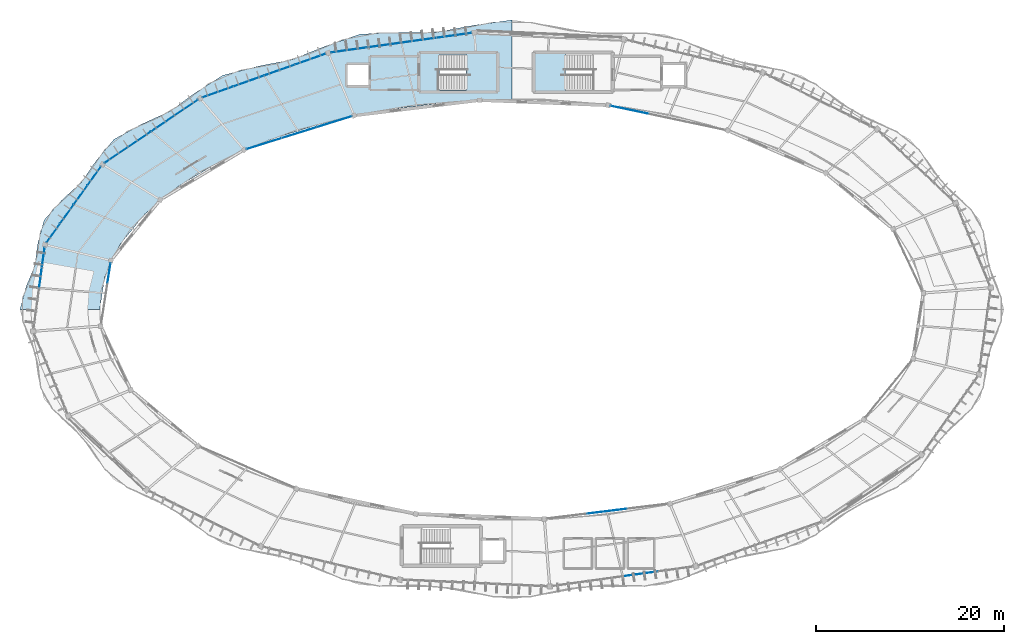
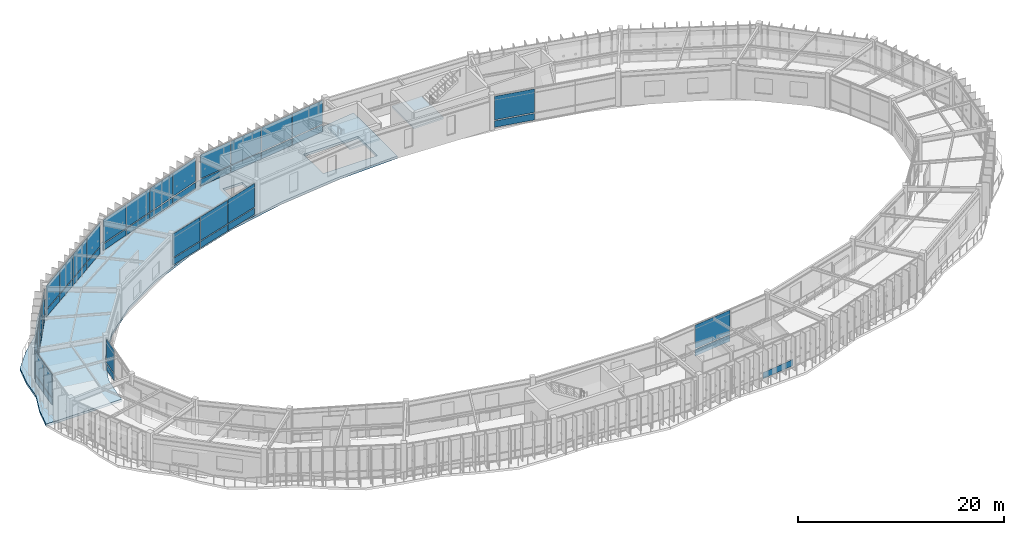
# One storey, part 64 of 79: 49 plates, 3 slabs, 12 elements without a shape of their own.
"""IFC4 building model written with IfcOpenShell, lengths in metres."""

import ifcopenshell
import ifcopenshell.guid

model = None  # the IFC model being written
_history = None  # IfcOwnerHistory: only IFC2X3 demands one
_inside = {}  # id of a spatial element -> (the spatial element, [elements in it])
_under = {}  # id of a project, library or spatial element -> (it, [spatial elements below it])
_declared = {}  # id of a project -> (the project, [libraries it declares])
_typed = {}  # id of a type object -> (the type object, [elements of that type])
_made_of = {}  # id of a material, layer set ... -> (it, [elements and type objects made of it])


def new_model(schema):
    """Start an empty IFC model of exactly this schema.

    Asked for "IFC4X3", IfcOpenShell would pick the latest addendum, in which some entities
    have other attributes; the version numbers below select the first issue.
    IFC2X3 requires an IfcOwnerHistory on every rooted entity: one is made here for all.
    """
    global model, _history
    if schema == "IFC4X3":
        model = ifcopenshell.file(schema_version=(4, 3, 0, 0))
    else:
        model = ifcopenshell.file(schema=schema)
    _inside.clear()
    _under.clear()
    _declared.clear()
    _typed.clear()
    _made_of.clear()
    _history = None
    if model.schema == "IFC2X3":
        org = make("IfcOrganization", Name="unknown")
        user = make(
            "IfcPersonAndOrganization",
            ThePerson=make("IfcPerson", FamilyName="unknown"),
            TheOrganization=org,
        )
        app = make(
            "IfcApplication",
            ApplicationDeveloper=org,
            Version="unknown",
            ApplicationFullName="unknown",
            ApplicationIdentifier="unknown",
        )
        _history = make(
            "IfcOwnerHistory",
            OwningUser=user,
            OwningApplication=app,
            ChangeAction="ADDED",
            CreationDate=0,
        )
    return model


def make(cls, **values):
    """One entity of the class cls with the attributes given. An attribute that is None is left unset."""
    return model.create_entity(
        cls, **{name: value for name, value in values.items() if value is not None}
    )


def rooted(cls, **values):
    """An entity with a GlobalId (a new one), such as an element, a storey or a relation."""
    return make(cls, GlobalId=ifcopenshell.guid.new(), OwnerHistory=_history, **values)


def si_unit(unit_type, name, prefix=None):
    """IfcSIUnit, for example si_unit("LENGTHUNIT", "METRE", prefix="MILLI")."""
    return make("IfcSIUnit", UnitType=unit_type, Prefix=prefix, Name=name)


def assignment(units):
    """IfcUnitAssignment: the units of a project."""
    return None if units is None else make("IfcUnitAssignment", Units=units)


def point(xyz):
    """IfcCartesianPoint."""
    return None if xyz is None else make("IfcCartesianPoint", Coordinates=xyz)


def direction(xyz):
    """IfcDirection."""
    return None if xyz is None else make("IfcDirection", DirectionRatios=xyz)


def frame(location, z_axis=None, x_axis=None):
    """IfcAxis2Placement3D, a coordinate frame: its origin and axes. An axis left out is left unset."""
    return make(
        "IfcAxis2Placement3D",
        Location=point(location),
        Axis=direction(z_axis),
        RefDirection=direction(x_axis),
    )


def frame_2d(location, x_axis=None):
    """IfcAxis2Placement2D, a coordinate frame in the plane: its origin and x axis."""
    return make(
        "IfcAxis2Placement2D", Location=point(location), RefDirection=direction(x_axis)
    )


def origin():
    """The frame at (0, 0, 0) with its axes left unset."""
    return frame((0.0, 0.0, 0.0))


def origin_2d():
    """The frame at (0, 0) in the plane with its x axis left unset."""
    return frame_2d((0.0, 0.0))


def place(relative_to, where):
    """IfcLocalPlacement: puts the frame where relative to a parent placement (None: the world)."""
    return make(
        "IfcLocalPlacement", PlacementRelTo=relative_to, RelativePlacement=where
    )


def context(
    kind, dimensions, precision=None, world=None, true_north=None, identifier=None
):
    """IfcGeometricRepresentationContext, for example the 3D "Model" context."""
    return make(
        "IfcGeometricRepresentationContext",
        ContextIdentifier=identifier,
        ContextType=kind,
        CoordinateSpaceDimension=dimensions,
        Precision=precision,
        WorldCoordinateSystem=world,
        TrueNorth=true_north,
    )


def subcontext(parent, identifier, kind, view, scale=None):
    """IfcGeometricRepresentationSubContext, for example "Body" below "Model"."""
    return make(
        "IfcGeometricRepresentationSubContext",
        ContextIdentifier=identifier,
        ContextType=kind,
        ParentContext=parent,
        TargetScale=scale,
        TargetView=view,
    )


def project(units=None, contexts=None):
    """IfcProject with its units and contexts."""
    return rooted(
        "IfcProject",
        Name="project",
        RepresentationContexts=contexts,
        UnitsInContext=assignment(units),
    )


def spatial(cls, under=None, at=None, **own):
    """A site, building, storey or space (cls), placed at a placement, below another one or the project."""
    s = rooted(cls, ObjectPlacement=at, **own)
    if under is not None:
        _under.setdefault(under.id(), (under, []))[1].append(s)
    return s


def polyline(points):
    """IfcPolyline through the points."""
    return make("IfcPolyline", Points=[point(p) for p in points])


def profile(cls, at=None, kind="AREA", **sizes):
    """A parametric profile (cls). Its sizes go by their IFC names, for example OverallWidth=200.0."""
    return make(cls, ProfileType=kind, Position=at, **sizes)


def rectangle(**sizes):
    """IfcRectangleProfileDef."""
    return profile("IfcRectangleProfileDef", **sizes)


def outline(outer, holes=None, kind="AREA"):
    """IfcArbitraryClosedProfileDef: a profile drawn as a closed curve; with holes, ...WithVoids."""
    if holes is None:
        return make("IfcArbitraryClosedProfileDef", ProfileType=kind, OuterCurve=outer)
    return make(
        "IfcArbitraryProfileDefWithVoids",
        ProfileType=kind,
        OuterCurve=outer,
        InnerCurves=holes,
    )


def extrude(swept, where, along, depth):
    """IfcExtrudedAreaSolid: the profile swept, set in the frame where, extruded along a direction by depth."""
    return make(
        "IfcExtrudedAreaSolid",
        SweptArea=swept,
        Position=where,
        ExtrudedDirection=direction(along),
        Depth=depth,
    )


def shape(context_of_items, identifier, shape_type, items):
    """IfcShapeRepresentation: the items that make up one representation, for example the "Body"."""
    return make(
        "IfcShapeRepresentation",
        ContextOfItems=context_of_items,
        RepresentationIdentifier=identifier,
        RepresentationType=shape_type,
        Items=items,
    )


def material(Name=None, Category=None):
    """IfcMaterial."""
    return make("IfcMaterial", Name=Name, Category=Category)


def layer(
    of_material, thickness, ventilated=None, Name=None, Category=None, Priority=None
):
    """IfcMaterialLayer: one layer of a wall or slab, of a material (None: an air gap)."""
    return make(
        "IfcMaterialLayer",
        Material=of_material,
        LayerThickness=thickness,
        IsVentilated=ventilated,
        Name=Name,
        Category=Category,
        Priority=Priority,
    )


def layer_set(layers, Name=None):
    """IfcMaterialLayerSet."""
    return make("IfcMaterialLayerSet", MaterialLayers=layers, LayerSetName=Name)


def made_of(thing, what):
    """Note that an element or type object is made of a material, layer set ...; save() writes the relation."""
    if what is not None:
        _made_of.setdefault(what.id(), (what, []))[1].append(thing)
    return thing


def type_object(cls, material=None, **own):
    """A type object (cls), such as IfcWallType, which elements share."""
    return made_of(rooted(cls, **own), material)


def element(
    cls,
    number,
    at=None,
    inside=None,
    cuts=None,
    type_object=None,
    material=None,
    context=None,
    identifier="Body",
    shape_type=None,
    held_by="IfcProductDefinitionShape",
    body=None,
    shapes=None,
    **own,
):
    """One element of the class cls, such as IfcWall. Its Tag is "e" and its number.

    at: its placement. inside: the storey or other place that contains it. cuts: it is an
    opening in that element (IfcRelVoidsElement). A single representation is given by context,
    identifier, shape_type and body (its items); several are given by shapes. held_by: the class
    of the entity that holds the representations. save() writes the other relations.
    """
    e = rooted(cls, Tag="e%d" % number, ObjectPlacement=at, **own)
    if body is not None:
        shapes = [shape(context, identifier, shape_type, body)]
    if shapes is not None:
        e.Representation = make(held_by, Representations=shapes)
    if inside is not None:
        _inside.setdefault(inside.id(), (inside, []))[1].append(e)
    if cuts is not None:
        rooted(
            "IfcRelVoidsElement", RelatingBuildingElement=cuts, RelatedOpeningElement=e
        )
    if type_object is not None:
        _typed.setdefault(type_object.id(), (type_object, []))[1].append(e)
    return made_of(e, material)


def aggregate(whole, parts):
    """IfcRelAggregates: a whole, such as a stair, and the parts it consists of."""
    return rooted("IfcRelAggregates", RelatingObject=whole, RelatedObjects=parts)


def save(model, path):
    """Write the relations noted so far, then the file.

    IfcRelAggregates (storeys below a building ...), IfcRelContainedInSpatialStructure (elements
    in a storey), IfcRelDefinesByType, IfcRelAssociatesMaterial and IfcRelDeclares: one each for
    every whole, place, type object, material and project.
    """
    for whole, parts in _under.values():
        aggregate(whole, parts)
    for where, things in _inside.values():
        rooted(
            "IfcRelContainedInSpatialStructure",
            RelatedElements=things,
            RelatingStructure=where,
        )
    for kind, things in _typed.values():
        rooted("IfcRelDefinesByType", RelatedObjects=things, RelatingType=kind)
    for what, things in _made_of.values():
        rooted("IfcRelAssociatesMaterial", RelatedObjects=things, RelatingMaterial=what)
    for by, libraries in _declared.values():
        rooted("IfcRelDeclares", RelatingContext=by, RelatedDefinitions=libraries)
    model.write(path)


model = new_model("IFC4")

# Units and contexts
model_context = context("Model", 3, precision=1e-05, world=origin(), true_north=direction((0.0, 1.0)))
body_context = subcontext(model_context, "Body", "Model", "MODEL_VIEW")
ifc_project = project(units=[si_unit("LENGTHUNIT", "METRE"), si_unit("AREAUNIT", "SQUARE_METRE"), si_unit("VOLUMEUNIT", "CUBIC_METRE"), si_unit("PLANEANGLEUNIT", "RADIAN"), si_unit("MASSUNIT", "GRAM", prefix="KILO"), si_unit("THERMODYNAMICTEMPERATUREUNIT", "KELVIN"), si_unit("POWERUNIT", "WATT")], contexts=[model_context])

# Site, building, storey
site_placement = place(None, origin())
site = spatial("IfcSite", under=ifc_project, at=site_placement, CompositionType="ELEMENT")
building_placement = place(site_placement, origin())
building = spatial("IfcBuilding", under=site, at=building_placement, Name="Darbajah Civic Hall", CompositionType="ELEMENT")
storey_placement = place(building_placement, frame((0.0, 0.0, 22.199951171875)))
storey = spatial("IfcBuildingStorey", under=building, at=storey_placement, Name="L05", CompositionType="ELEMENT", Elevation=22.199951171875)

# Curtain wall, plates
ifc_material_1 = material(Name="Anodised Bronze Aluminium and Low-E Glazing", Category="aluminium")
curtain_wall_type_1 = type_object("IfcCurtainWallType", Name="Unitised Curtain Wall CW-66 15100x3900", PredefinedType="USERDEFINED", material=ifc_material_1)
curtain_wall_1_placement = place(storey_placement, origin())
curtain_wall_1 = element("IfcCurtainWall", 1, at=curtain_wall_1_placement, inside=storey, type_object=curtain_wall_type_1, Name="L05 unitised curtain wall CW-V1O-L05-05", ObjectType="UNITISED CURTAIN WALL", PredefinedType="USERDEFINED")
ifc_material_2 = material(Name="Low-E Solar Control Double Glazing", Category="glass")
ifc_layer_1 = layer(ifc_material_2, 0.02392578125, Name="Low-E Solar Control Double Glazing")
ifc_layer_set_1 = layer_set([ifc_layer_1], Name="Low-E Solar Control Double Glazing")
plate_type_1 = type_object("IfcPlateType", Name="Solar Double Glazing 24mm", PredefinedType="CURTAIN_PANEL", material=ifc_layer_set_1)
plate_1_placement = place(storey_placement, frame((82.953369140625, 118.9111328125, 0.10009765625), z_axis=(0.0, 0.0, 1.0), x_axis=(-0.990485459553, -0.137617420457, 0.0)))
plate_1 = element("IfcPlate", 2, at=plate_1_placement, type_object=plate_type_1, Name="CW-V1O-L05-05 glazed panel 1.1", PredefinedType="CURTAIN_PANEL", context=body_context, shape_type="SweptSolid", body=[
    extrude(rectangle(XDim=3.712646484375, YDim=0.02392578125, at=origin_2d()), origin(), (0.0, 0.0, 1.0), 0.800048828125),
])
plate_2_placement = place(storey_placement, frame((82.953369140625, 118.9111328125, 1.0), z_axis=(0.0, 0.0, 1.0), x_axis=(-0.990485459553, -0.137617420457, 0.0)))
plate_2 = element("IfcPlate", 3, at=plate_2_placement, type_object=plate_type_1, Name="CW-V1O-L05-05 glazed panel 1.2", PredefinedType="CURTAIN_PANEL", context=body_context, shape_type="SweptSolid", body=[
    extrude(rectangle(XDim=3.712646484375, YDim=0.02392578125, at=origin_2d()), origin(), (0.0, 0.0, 1.0), 2.820068359375),
])
plate_3_placement = place(storey_placement, frame((79.211669921875, 118.3916015625, 0.10009765625), z_axis=(0.0, 0.0, 1.0), x_axis=(-0.990485459553, -0.137617420457, 0.0)))
plate_3 = element("IfcPlate", 4, at=plate_3_placement, type_object=plate_type_1, Name="CW-V1O-L05-05 glazed panel 2.1", PredefinedType="CURTAIN_PANEL", context=body_context, shape_type="SweptSolid", body=[
    extrude(rectangle(XDim=3.712646484375, YDim=0.02392578125, at=origin_2d()), origin(), (0.0, 0.0, 1.0), 0.800048828125),
])
plate_4_placement = place(storey_placement, frame((79.211669921875, 118.3916015625, 1.0), z_axis=(0.0, 0.0, 1.0), x_axis=(-0.990485459553, -0.137617420457, 0.0)))
plate_4 = element("IfcPlate", 5, at=plate_4_placement, type_object=plate_type_1, Name="CW-V1O-L05-05 glazed panel 2.2", PredefinedType="CURTAIN_PANEL", context=body_context, shape_type="SweptSolid", body=[
    extrude(rectangle(XDim=3.712646484375, YDim=0.02392578125, at=origin_2d()), origin(), (0.0, 0.0, 1.0), 2.820068359375),
])
plate_5_placement = place(storey_placement, frame((75.47021484375, 117.871826171875, 0.10009765625), z_axis=(0.0, 0.0, 1.0), x_axis=(-0.990485459553, -0.137617420457, 0.0)))
plate_5 = element("IfcPlate", 6, at=plate_5_placement, type_object=plate_type_1, Name="CW-V1O-L05-05 glazed panel 3.1", PredefinedType="CURTAIN_PANEL", context=body_context, shape_type="SweptSolid", body=[
    extrude(rectangle(XDim=3.712646484375, YDim=0.02392578125, at=origin_2d()), origin(), (0.0, 0.0, 1.0), 0.800048828125),
])
plate_6_placement = place(storey_placement, frame((75.47021484375, 117.871826171875, 1.0), z_axis=(0.0, 0.0, 1.0), x_axis=(-0.990485459553, -0.137617420457, 0.0)))
plate_6 = element("IfcPlate", 7, at=plate_6_placement, type_object=plate_type_1, Name="CW-V1O-L05-05 glazed panel 3.2", PredefinedType="CURTAIN_PANEL", context=body_context, shape_type="SweptSolid", body=[
    extrude(rectangle(XDim=3.712646484375, YDim=0.02392578125, at=origin_2d()), origin(), (0.0, 0.0, 1.0), 2.820068359375),
])
plate_7_placement = place(storey_placement, frame((71.728515625, 117.352294921875, 0.10009765625), z_axis=(0.0, 0.0, 1.0), x_axis=(-0.990485459553, -0.137617420457, 0.0)))
plate_7 = element("IfcPlate", 8, at=plate_7_placement, type_object=plate_type_1, Name="CW-V1O-L05-05 glazed panel 4.1", PredefinedType="CURTAIN_PANEL", context=body_context, shape_type="SweptSolid", body=[
    extrude(rectangle(XDim=3.712646484375, YDim=0.02392578125, at=origin_2d()), origin(), (0.0, 0.0, 1.0), 0.800048828125),
])
plate_8_placement = place(storey_placement, frame((71.728515625, 117.352294921875, 1.0), z_axis=(0.0, 0.0, 1.0), x_axis=(-0.990485459553, -0.137617420457, 0.0)))
plate_8 = element("IfcPlate", 9, at=plate_8_placement, type_object=plate_type_1, Name="CW-V1O-L05-05 glazed panel 4.2", PredefinedType="CURTAIN_PANEL", context=body_context, shape_type="SweptSolid", body=[
    extrude(rectangle(XDim=3.712646484375, YDim=0.02392578125, at=origin_2d()), origin(), (0.0, 0.0, 1.0), 2.820068359375),
])
aggregate(curtain_wall_1, [plate_1, plate_2, plate_3, plate_4, plate_5, plate_6, plate_7, plate_8])

curtain_wall_type_2 = type_object("IfcCurtainWallType", Name="Unitised Curtain Wall CW-68 9900x3900", PredefinedType="USERDEFINED", material=ifc_material_1)
curtain_wall_2_placement = place(storey_placement, origin())
curtain_wall_2 = element("IfcCurtainWall", 10, at=curtain_wall_2_placement, inside=storey, type_object=curtain_wall_type_2, Name="L05 unitised curtain wall CW-V1O-L05-08", ObjectType="UNITISED CURTAIN WALL", PredefinedType="USERDEFINED")
plate_9_placement = place(storey_placement, frame((44.731201171875, 103.97900390625, 0.10009765625), z_axis=(0.0, 0.0, 1.0), x_axis=(-0.582264874145, -0.812999149039, 0.0)))
plate_9 = element("IfcPlate", 11, at=plate_9_placement, type_object=plate_type_1, Name="CW-V1O-L05-08 glazed panel 1.1", PredefinedType="CURTAIN_PANEL", context=body_context, shape_type="SweptSolid", body=[
    extrude(rectangle(XDim=2.41845703125, YDim=0.02392578125, at=origin_2d()), origin(), (0.0, 0.0, 1.0), 0.800048828125),
])
plate_10_placement = place(storey_placement, frame((44.731201171875, 103.97900390625, 1.0), z_axis=(0.0, 0.0, 1.0), x_axis=(-0.582264874145, -0.812999149039, 0.0)))
plate_10 = element("IfcPlate", 12, at=plate_10_placement, type_object=plate_type_1, Name="CW-V1O-L05-08 glazed panel 1.2", PredefinedType="CURTAIN_PANEL", context=body_context, shape_type="SweptSolid", body=[
    extrude(rectangle(XDim=2.41845703125, YDim=0.02392578125, at=origin_2d()), origin(), (0.0, 0.0, 1.0), 2.820068359375),
])
plate_11_placement = place(storey_placement, frame((43.285400390625, 101.959716796875, 0.10009765625), z_axis=(0.0, 0.0, 1.0), x_axis=(-0.582264874145, -0.812999149039, 0.0)))
plate_11 = element("IfcPlate", 13, at=plate_11_placement, type_object=plate_type_1, Name="CW-V1O-L05-08 glazed panel 2.1", PredefinedType="CURTAIN_PANEL", context=body_context, shape_type="SweptSolid", body=[
    extrude(rectangle(XDim=2.41845703125, YDim=0.02392578125, at=origin_2d()), origin(), (0.0, 0.0, 1.0), 0.800048828125),
])
plate_12_placement = place(storey_placement, frame((43.285400390625, 101.959716796875, 1.0), z_axis=(0.0, 0.0, 1.0), x_axis=(-0.582264874145, -0.812999149039, 0.0)))
plate_12 = element("IfcPlate", 14, at=plate_12_placement, type_object=plate_type_1, Name="CW-V1O-L05-08 glazed panel 2.2", PredefinedType="CURTAIN_PANEL", context=body_context, shape_type="SweptSolid", body=[
    extrude(rectangle(XDim=2.41845703125, YDim=0.02392578125, at=origin_2d()), origin(), (0.0, 0.0, 1.0), 2.820068359375),
])
plate_13_placement = place(storey_placement, frame((41.839111328125, 99.940673828125, 0.10009765625), z_axis=(0.0, 0.0, 1.0), x_axis=(-0.582264874145, -0.812999149039, 0.0)))
plate_13 = element("IfcPlate", 15, at=plate_13_placement, type_object=plate_type_1, Name="CW-V1O-L05-08 glazed panel 3.1", PredefinedType="CURTAIN_PANEL", context=body_context, shape_type="SweptSolid", body=[
    extrude(rectangle(XDim=2.41845703125, YDim=0.02392578125, at=origin_2d()), origin(), (0.0, 0.0, 1.0), 0.800048828125),
])
plate_14_placement = place(storey_placement, frame((41.839111328125, 99.940673828125, 1.0), z_axis=(0.0, 0.0, 1.0), x_axis=(-0.582264874145, -0.812999149039, 0.0)))
plate_14 = element("IfcPlate", 16, at=plate_14_placement, type_object=plate_type_1, Name="CW-V1O-L05-08 glazed panel 3.2", PredefinedType="CURTAIN_PANEL", context=body_context, shape_type="SweptSolid", body=[
    extrude(rectangle(XDim=2.41845703125, YDim=0.02392578125, at=origin_2d()), origin(), (0.0, 0.0, 1.0), 2.820068359375),
])
plate_15_placement = place(storey_placement, frame((40.393310546875, 97.92138671875, 0.10009765625), z_axis=(0.0, 0.0, 1.0), x_axis=(-0.582264874145, -0.812999149039, 0.0)))
plate_15 = element("IfcPlate", 17, at=plate_15_placement, type_object=plate_type_1, Name="CW-V1O-L05-08 glazed panel 4.1", PredefinedType="CURTAIN_PANEL", context=body_context, shape_type="SweptSolid", body=[
    extrude(rectangle(XDim=2.41845703125, YDim=0.02392578125, at=origin_2d()), origin(), (0.0, 0.0, 1.0), 0.800048828125),
])
plate_16_placement = place(storey_placement, frame((40.393310546875, 97.92138671875, 1.0), z_axis=(0.0, 0.0, 1.0), x_axis=(-0.582264874145, -0.812999149039, 0.0)))
plate_16 = element("IfcPlate", 18, at=plate_16_placement, type_object=plate_type_1, Name="CW-V1O-L05-08 glazed panel 4.2", PredefinedType="CURTAIN_PANEL", context=body_context, shape_type="SweptSolid", body=[
    extrude(rectangle(XDim=2.41845703125, YDim=0.02392578125, at=origin_2d()), origin(), (0.0, 0.0, 1.0), 2.820068359375),
])
aggregate(curtain_wall_2, [plate_9, plate_10, plate_11, plate_12, plate_13, plate_14, plate_15, plate_16])

curtain_wall_type_3 = type_object("IfcCurtainWallType", Name="Unitised Curtain Wall CW-65 12400x3900", PredefinedType="USERDEFINED", material=ifc_material_1)
curtain_wall_3_placement = place(storey_placement, origin())
curtain_wall_3 = element("IfcCurtainWall", 19, at=curtain_wall_3_placement, inside=storey, type_object=curtain_wall_type_3, Name="L05 unitised curtain wall CW-V1I-L05-03", ObjectType="UNITISED CURTAIN WALL", PredefinedType="USERDEFINED")
ifc_layer_2 = layer(ifc_material_2, 0.028076171875, Name="Low-E Solar Control Double Glazing")
ifc_layer_set_2 = layer_set([ifc_layer_2], Name="Low-E Solar Control Double Glazing")
plate_type_2 = type_object("IfcPlateType", Name="Solar Double Glazing 28mm", PredefinedType="CURTAIN_PANEL", material=ifc_layer_set_2)
plate_17_placement = place(storey_placement, frame((101.599365234375, 111.004150390625, 0.1201171875), z_axis=(0.0, 0.0, 1.0), x_axis=(-0.978472980779, 0.206374964291, 0.0)))
plate_17 = element("IfcPlate", 20, at=plate_17_placement, type_object=plate_type_2, Name="CW-V1I-L05-03 glazed panel 3.1", PredefinedType="CURTAIN_PANEL", context=body_context, shape_type="SweptSolid", body=[
    extrude(rectangle(XDim=4.074951171875, YDim=0.028076171875, at=origin_2d()), origin(), (0.0, 0.0, 1.0), 0.77001953125),
])
plate_18_placement = place(storey_placement, frame((101.599365234375, 111.004150390625, 1.010009765625), z_axis=(0.0, 0.0, 1.0), x_axis=(-0.978472980779, 0.206374964291, 0.0)))
plate_18 = element("IfcPlate", 21, at=plate_18_placement, type_object=plate_type_2, Name="CW-V1I-L05-03 glazed panel 3.2", PredefinedType="CURTAIN_PANEL", context=body_context, shape_type="SweptSolid", body=[
    extrude(rectangle(XDim=4.074951171875, YDim=0.028076171875, at=origin_2d()), origin(), (0.0, 0.0, 1.0), 2.7900390625),
])
aggregate(curtain_wall_3, [plate_17, plate_18])

curtain_wall_type_4 = type_object("IfcCurtainWallType", Name="Unitised Curtain Wall CW-67 11700x3900", PredefinedType="USERDEFINED", material=ifc_material_1)
curtain_wall_4_placement = place(storey_placement, origin())
curtain_wall_4 = element("IfcCurtainWall", 22, at=curtain_wall_4_placement, inside=storey, type_object=curtain_wall_type_4, Name="L05 unitised curtain wall CW-V1I-L05-06", ObjectType="UNITISED CURTAIN WALL", PredefinedType="USERDEFINED")
plate_19_placement = place(storey_placement, frame((70.230712890625, 109.744873046875, 0.1201171875), z_axis=(0.0, 0.0, 1.0), x_axis=(-0.954604963513, -0.297874744877, 0.0)))
plate_19 = element("IfcPlate", 23, at=plate_19_placement, type_object=plate_type_2, Name="CW-V1I-L05-06 glazed panel 1.1", PredefinedType="CURTAIN_PANEL", context=body_context, shape_type="SweptSolid", body=[
    extrude(rectangle(XDim=3.841796875, YDim=0.028076171875, at=origin_2d()), origin(), (0.0, 0.0, 1.0), 0.77001953125),
])
plate_20_placement = place(storey_placement, frame((70.230712890625, 109.744873046875, 1.010009765625), z_axis=(0.0, 0.0, 1.0), x_axis=(-0.954604963513, -0.297874744877, 0.0)))
plate_20 = element("IfcPlate", 24, at=plate_20_placement, type_object=plate_type_2, Name="CW-V1I-L05-06 glazed panel 1.2", PredefinedType="CURTAIN_PANEL", context=body_context, shape_type="SweptSolid", body=[
    extrude(rectangle(XDim=3.841796875, YDim=0.028076171875, at=origin_2d()), origin(), (0.0, 0.0, 1.0), 2.7900390625),
])
plate_21_placement = place(storey_placement, frame((66.496337890625, 108.579833984375, 0.1201171875), z_axis=(0.0, 0.0, 1.0), x_axis=(-0.954604963513, -0.297874744877, 0.0)))
plate_21 = element("IfcPlate", 25, at=plate_21_placement, type_object=plate_type_2, Name="CW-V1I-L05-06 glazed panel 2.1", PredefinedType="CURTAIN_PANEL", context=body_context, shape_type="SweptSolid", body=[
    extrude(rectangle(XDim=3.841796875, YDim=0.028076171875, at=origin_2d()), origin(), (0.0, 0.0, 1.0), 0.77001953125),
])
plate_22_placement = place(storey_placement, frame((66.496337890625, 108.579833984375, 1.010009765625), z_axis=(0.0, 0.0, 1.0), x_axis=(-0.954604963513, -0.297874744877, 0.0)))
plate_22 = element("IfcPlate", 26, at=plate_22_placement, type_object=plate_type_2, Name="CW-V1I-L05-06 glazed panel 2.2", PredefinedType="CURTAIN_PANEL", context=body_context, shape_type="SweptSolid", body=[
    extrude(rectangle(XDim=3.841796875, YDim=0.028076171875, at=origin_2d()), origin(), (0.0, 0.0, 1.0), 2.7900390625),
])
plate_23_placement = place(storey_placement, frame((62.761962890625, 107.414794921875, 0.1201171875), z_axis=(0.0, 0.0, 1.0), x_axis=(-0.954604963513, -0.297874744877, 0.0)))
plate_23 = element("IfcPlate", 27, at=plate_23_placement, type_object=plate_type_2, Name="CW-V1I-L05-06 glazed panel 3.1", PredefinedType="CURTAIN_PANEL", context=body_context, shape_type="SweptSolid", body=[
    extrude(rectangle(XDim=3.841796875, YDim=0.028076171875, at=origin_2d()), origin(), (0.0, 0.0, 1.0), 0.77001953125),
])
plate_24_placement = place(storey_placement, frame((62.761962890625, 107.414794921875, 1.010009765625), z_axis=(0.0, 0.0, 1.0), x_axis=(-0.954604963513, -0.297874744877, 0.0)))
plate_24 = element("IfcPlate", 28, at=plate_24_placement, type_object=plate_type_2, Name="CW-V1I-L05-06 glazed panel 3.2", PredefinedType="CURTAIN_PANEL", context=body_context, shape_type="SweptSolid", body=[
    extrude(rectangle(XDim=3.841796875, YDim=0.028076171875, at=origin_2d()), origin(), (0.0, 0.0, 1.0), 2.7900390625),
])
aggregate(curtain_wall_4, [plate_19, plate_20, plate_21, plate_22, plate_23, plate_24])

curtain_wall_type_5 = type_object("IfcCurtainWallType", Name="Unitised Curtain Wall CW-81 12000x3900", PredefinedType="USERDEFINED", material=ifc_material_1)
curtain_wall_5_placement = place(storey_placement, origin())
curtain_wall_5 = element("IfcCurtainWall", 29, at=curtain_wall_5_placement, inside=storey, type_object=curtain_wall_type_5, Name="L05 unitised curtain wall CW-V1O-L05-07", ObjectType="UNITISED CURTAIN WALL", PredefinedType="USERDEFINED")
plate_25_placement = place(storey_placement, frame((54.5107421875, 111.23828125, 0.1201171875), z_axis=(0.0, 0.0, 1.0), x_axis=(-0.827962472047, -0.560783509816, 0.0)))
plate_25 = element("IfcPlate", 30, at=plate_25_placement, type_object=plate_type_2, Name="CW-V1O-L05-07 glazed panel 1.1", PredefinedType="CURTAIN_PANEL", context=body_context, shape_type="SweptSolid", body=[
    extrude(rectangle(XDim=2.92041015625, YDim=0.028076171875, at=origin_2d()), origin(), (0.0, 0.0, 1.0), 0.77001953125),
])
plate_26_placement = place(storey_placement, frame((54.5107421875, 111.23828125, 1.010009765625), z_axis=(0.0, 0.0, 1.0), x_axis=(-0.827962472047, -0.560783509816, 0.0)))
plate_26 = element("IfcPlate", 31, at=plate_26_placement, type_object=plate_type_2, Name="CW-V1O-L05-07 glazed panel 1.2", PredefinedType="CURTAIN_PANEL", context=body_context, shape_type="SweptSolid", body=[
    extrude(rectangle(XDim=2.92041015625, YDim=0.028076171875, at=origin_2d()), origin(), (0.0, 0.0, 1.0), 2.7900390625),
])
plate_27_placement = place(storey_placement, frame((52.034912109375, 109.561279296875, 0.1201171875), z_axis=(0.0, 0.0, 1.0), x_axis=(-0.827962472047, -0.560783509816, 0.0)))
plate_27 = element("IfcPlate", 32, at=plate_27_placement, type_object=plate_type_2, Name="CW-V1O-L05-07 glazed panel 2.1", PredefinedType="CURTAIN_PANEL", context=body_context, shape_type="SweptSolid", body=[
    extrude(rectangle(XDim=2.92041015625, YDim=0.028076171875, at=origin_2d()), origin(), (0.0, 0.0, 1.0), 0.77001953125),
])
plate_28_placement = place(storey_placement, frame((52.034912109375, 109.561279296875, 1.010009765625), z_axis=(0.0, 0.0, 1.0), x_axis=(-0.827962472047, -0.560783509816, 0.0)))
plate_28 = element("IfcPlate", 33, at=plate_28_placement, type_object=plate_type_2, Name="CW-V1O-L05-07 glazed panel 2.2", PredefinedType="CURTAIN_PANEL", context=body_context, shape_type="SweptSolid", body=[
    extrude(rectangle(XDim=2.92041015625, YDim=0.028076171875, at=origin_2d()), origin(), (0.0, 0.0, 1.0), 2.7900390625),
])
plate_29_placement = place(storey_placement, frame((49.558837890625, 107.884521484375, 0.1201171875), z_axis=(0.0, 0.0, 1.0), x_axis=(-0.827962472047, -0.560783509816, 0.0)))
plate_29 = element("IfcPlate", 34, at=plate_29_placement, type_object=plate_type_2, Name="CW-V1O-L05-07 glazed panel 3.1", PredefinedType="CURTAIN_PANEL", context=body_context, shape_type="SweptSolid", body=[
    extrude(rectangle(XDim=2.92041015625, YDim=0.028076171875, at=origin_2d()), origin(), (0.0, 0.0, 1.0), 0.77001953125),
])
plate_30_placement = place(storey_placement, frame((49.558837890625, 107.884521484375, 1.010009765625), z_axis=(0.0, 0.0, 1.0), x_axis=(-0.827962472047, -0.560783509816, 0.0)))
plate_30 = element("IfcPlate", 35, at=plate_30_placement, type_object=plate_type_2, Name="CW-V1O-L05-07 glazed panel 3.2", PredefinedType="CURTAIN_PANEL", context=body_context, shape_type="SweptSolid", body=[
    extrude(rectangle(XDim=2.92041015625, YDim=0.028076171875, at=origin_2d()), origin(), (0.0, 0.0, 1.0), 2.7900390625),
])
plate_31_placement = place(storey_placement, frame((47.082763671875, 106.20751953125, 0.1201171875), z_axis=(0.0, 0.0, 1.0), x_axis=(-0.827962472047, -0.560783509816, 0.0)))
plate_31 = element("IfcPlate", 36, at=plate_31_placement, type_object=plate_type_2, Name="CW-V1O-L05-07 glazed panel 4.1", PredefinedType="CURTAIN_PANEL", context=body_context, shape_type="SweptSolid", body=[
    extrude(rectangle(XDim=2.92041015625, YDim=0.028076171875, at=origin_2d()), origin(), (0.0, 0.0, 1.0), 0.77001953125),
])
plate_32_placement = place(storey_placement, frame((47.082763671875, 106.20751953125, 1.010009765625), z_axis=(0.0, 0.0, 1.0), x_axis=(-0.827962472047, -0.560783509816, 0.0)))
plate_32 = element("IfcPlate", 37, at=plate_32_placement, type_object=plate_type_2, Name="CW-V1O-L05-07 glazed panel 4.2", PredefinedType="CURTAIN_PANEL", context=body_context, shape_type="SweptSolid", body=[
    extrude(rectangle(XDim=2.92041015625, YDim=0.028076171875, at=origin_2d()), origin(), (0.0, 0.0, 1.0), 2.7900390625),
])
aggregate(curtain_wall_5, [plate_25, plate_26, plate_27, plate_28, plate_29, plate_30, plate_31, plate_32])

curtain_wall_type_6 = type_object("IfcCurtainWallType", Name="Unitised Curtain Wall CW-70 6500x3900", PredefinedType="USERDEFINED", material=ifc_material_1)
curtain_wall_6_placement = place(storey_placement, origin())
curtain_wall_6 = element("IfcCurtainWall", 38, at=curtain_wall_6_placement, inside=storey, type_object=curtain_wall_type_6, Name="L05 unitised curtain wall CW-V1I-L05-09", ObjectType="UNITISED CURTAIN WALL", PredefinedType="USERDEFINED")
plate_33_placement = place(storey_placement, frame((46.305419921875, 93.6806640625, 0.1201171875), z_axis=(0.0, 0.0, 1.0), x_axis=(-0.152813355565, -0.98825506746, 0.0)))
plate_33 = element("IfcPlate", 39, at=plate_33_placement, type_object=plate_type_2, Name="CW-V1I-L05-09 glazed panel 1.1", PredefinedType="CURTAIN_PANEL", context=body_context, shape_type="SweptSolid", body=[
    extrude(rectangle(XDim=2.10791015625, YDim=0.028076171875, at=origin_2d()), origin(), (0.0, 0.0, 1.0), 0.77001953125),
])
plate_34_placement = place(storey_placement, frame((46.305419921875, 93.6806640625, 1.010009765625), z_axis=(0.0, 0.0, 1.0), x_axis=(-0.152813355565, -0.98825506746, 0.0)))
plate_34 = element("IfcPlate", 40, at=plate_34_placement, type_object=plate_type_2, Name="CW-V1I-L05-09 glazed panel 1.2", PredefinedType="CURTAIN_PANEL", context=body_context, shape_type="SweptSolid", body=[
    extrude(rectangle(XDim=2.10791015625, YDim=0.028076171875, at=origin_2d()), origin(), (0.0, 0.0, 1.0), 2.7900390625),
])
aggregate(curtain_wall_6, [plate_33, plate_34])

curtain_wall_type_7 = type_object("IfcCurtainWallType", Name="Unitised Curtain Wall CW-73 12900x3900", PredefinedType="USERDEFINED", material=ifc_material_1)
curtain_wall_7_placement = place(storey_placement, origin())
curtain_wall_7 = element("IfcCurtainWall", 41, at=curtain_wall_7_placement, inside=storey, type_object=curtain_wall_type_7, Name="L05 unitised curtain wall CW-V1I-L05-15", ObjectType="UNITISED CURTAIN WALL", PredefinedType="USERDEFINED")
plate_35_placement = place(storey_placement, frame((99.198974609375, 68.383056640625, 0.1201171875), z_axis=(0.0, 0.0, 1.0), x_axis=(0.992609826221, 0.121349630774, 0.0)))
plate_35 = element("IfcPlate", 42, at=plate_35_placement, type_object=plate_type_2, Name="CW-V1I-L05-15 glazed panel 2.1", PredefinedType="CURTAIN_PANEL", context=body_context, shape_type="SweptSolid", body=[
    extrude(rectangle(XDim=4.23681640625, YDim=0.028076171875, at=origin_2d()), origin(), (0.0, 0.0, 1.0), 0.77001953125),
])
plate_36_placement = place(storey_placement, frame((99.198974609375, 68.383056640625, 1.010009765625), z_axis=(0.0, 0.0, 1.0), x_axis=(0.992609826221, 0.121349630774, 0.0)))
plate_36 = element("IfcPlate", 43, at=plate_36_placement, type_object=plate_type_2, Name="CW-V1I-L05-15 glazed panel 2.2", PredefinedType="CURTAIN_PANEL", context=body_context, shape_type="SweptSolid", body=[
    extrude(rectangle(XDim=4.23681640625, YDim=0.028076171875, at=origin_2d()), origin(), (0.0, 0.0, 1.0), 2.7900390625),
])
aggregate(curtain_wall_7, [plate_35, plate_36])

curtain_wall_type_8 = type_object("IfcCurtainWallType", Name="Unitised Curtain Wall CW-80 13900x3900", PredefinedType="USERDEFINED", material=ifc_material_1)
curtain_wall_8_placement = place(storey_placement, origin())
curtain_wall_8 = element("IfcCurtainWall", 44, at=curtain_wall_8_placement, inside=storey, type_object=curtain_wall_type_8, Name="L05 unitised curtain wall CW-V1O-L05-06", ObjectType="UNITISED CURTAIN WALL", PredefinedType="USERDEFINED")
ifc_layer_3 = layer(ifc_material_2, 0.031982421875, Name="Low-E Solar Control Double Glazing")
ifc_layer_set_3 = layer_set([ifc_layer_3], Name="Low-E Solar Control Double Glazing")
plate_type_3 = type_object("IfcPlateType", Name="Solar Double Glazing 32mm", PredefinedType="CURTAIN_PANEL", material=ifc_layer_set_3)
plate_37_placement = place(storey_placement, frame((67.686767578125, 116.382080078125, 0.14013671875), z_axis=(0.0, 0.0, 1.0), x_axis=(-0.94252491309, -0.334135882844, 0.0)))
plate_37 = element("IfcPlate", 45, at=plate_37_placement, type_object=plate_type_3, Name="CW-V1O-L05-06 glazed panel 1.1", PredefinedType="CURTAIN_PANEL", context=body_context, shape_type="SweptSolid", body=[
    extrude(rectangle(XDim=3.39501953125, YDim=0.031982421875, at=origin_2d()), origin(), (0.0, 0.0, 1.0), 0.739990234375),
])
plate_38_placement = place(storey_placement, frame((67.686767578125, 116.382080078125, 1.02001953125), z_axis=(0.0, 0.0, 1.0), x_axis=(-0.94252491309, -0.334135882844, 0.0)))
plate_38 = element("IfcPlate", 46, at=plate_38_placement, type_object=plate_type_3, Name="CW-V1O-L05-06 glazed panel 1.2", PredefinedType="CURTAIN_PANEL", context=body_context, shape_type="SweptSolid", body=[
    extrude(rectangle(XDim=3.39501953125, YDim=0.031982421875, at=origin_2d()), origin(), (0.0, 0.0, 1.0), 2.760009765625),
])
plate_39_placement = place(storey_placement, frame((64.416015625, 115.222900390625, 0.14013671875), z_axis=(0.0, 0.0, 1.0), x_axis=(-0.94252491309, -0.334135882844, 0.0)))
plate_39 = element("IfcPlate", 47, at=plate_39_placement, type_object=plate_type_3, Name="CW-V1O-L05-06 glazed panel 2.1", PredefinedType="CURTAIN_PANEL", context=body_context, shape_type="SweptSolid", body=[
    extrude(rectangle(XDim=3.39501953125, YDim=0.031982421875, at=origin_2d()), origin(), (0.0, 0.0, 1.0), 0.739990234375),
])
plate_40_placement = place(storey_placement, frame((64.416015625, 115.222900390625, 1.02001953125), z_axis=(0.0, 0.0, 1.0), x_axis=(-0.94252491309, -0.334135882844, 0.0)))
plate_40 = element("IfcPlate", 48, at=plate_40_placement, type_object=plate_type_3, Name="CW-V1O-L05-06 glazed panel 2.2", PredefinedType="CURTAIN_PANEL", context=body_context, shape_type="SweptSolid", body=[
    extrude(rectangle(XDim=3.39501953125, YDim=0.031982421875, at=origin_2d()), origin(), (0.0, 0.0, 1.0), 2.760009765625),
])
plate_41_placement = place(storey_placement, frame((61.145263671875, 114.0634765625, 0.14013671875), z_axis=(0.0, 0.0, 1.0), x_axis=(-0.94252491309, -0.334135882844, 0.0)))
plate_41 = element("IfcPlate", 49, at=plate_41_placement, type_object=plate_type_3, Name="CW-V1O-L05-06 glazed panel 3.1", PredefinedType="CURTAIN_PANEL", context=body_context, shape_type="SweptSolid", body=[
    extrude(rectangle(XDim=3.39501953125, YDim=0.031982421875, at=origin_2d()), origin(), (0.0, 0.0, 1.0), 0.739990234375),
])
plate_42_placement = place(storey_placement, frame((61.145263671875, 114.0634765625, 1.02001953125), z_axis=(0.0, 0.0, 1.0), x_axis=(-0.94252491309, -0.334135882844, 0.0)))
plate_42 = element("IfcPlate", 50, at=plate_42_placement, type_object=plate_type_3, Name="CW-V1O-L05-06 glazed panel 3.2", PredefinedType="CURTAIN_PANEL", context=body_context, shape_type="SweptSolid", body=[
    extrude(rectangle(XDim=3.39501953125, YDim=0.031982421875, at=origin_2d()), origin(), (0.0, 0.0, 1.0), 2.760009765625),
])
plate_43_placement = place(storey_placement, frame((57.87451171875, 112.904296875, 0.14013671875), z_axis=(0.0, 0.0, 1.0), x_axis=(-0.94252491309, -0.334135882844, 0.0)))
plate_43 = element("IfcPlate", 51, at=plate_43_placement, type_object=plate_type_3, Name="CW-V1O-L05-06 glazed panel 4.1", PredefinedType="CURTAIN_PANEL", context=body_context, shape_type="SweptSolid", body=[
    extrude(rectangle(XDim=3.39501953125, YDim=0.031982421875, at=origin_2d()), origin(), (0.0, 0.0, 1.0), 0.739990234375),
])
plate_44_placement = place(storey_placement, frame((57.87451171875, 112.904296875, 1.02001953125), z_axis=(0.0, 0.0, 1.0), x_axis=(-0.94252491309, -0.334135882844, 0.0)))
plate_44 = element("IfcPlate", 52, at=plate_44_placement, type_object=plate_type_3, Name="CW-V1O-L05-06 glazed panel 4.2", PredefinedType="CURTAIN_PANEL", context=body_context, shape_type="SweptSolid", body=[
    extrude(rectangle(XDim=3.39501953125, YDim=0.031982421875, at=origin_2d()), origin(), (0.0, 0.0, 1.0), 2.760009765625),
])
aggregate(curtain_wall_8, [plate_37, plate_38, plate_39, plate_40, plate_41, plate_42, plate_43, plate_44])

curtain_wall_type_9 = type_object("IfcCurtainWallType", Name="Unitised Curtain Wall CW-69 8700x3900", PredefinedType="USERDEFINED", material=ifc_material_1)
curtain_wall_9_placement = place(storey_placement, origin())
curtain_wall_9 = element("IfcCurtainWall", 53, at=curtain_wall_9_placement, inside=storey, type_object=curtain_wall_type_9, Name="L05 unitised curtain wall CW-V1O-L05-09", ObjectType="UNITISED CURTAIN WALL", PredefinedType="USERDEFINED")
plate_45_placement = place(storey_placement, frame((39.32470703125, 95.33056640625, 0.14013671875), z_axis=(0.0, 0.0, 1.0), x_axis=(-0.134850930274, -0.990865897387, 0.0)))
plate_45 = element("IfcPlate", 54, at=plate_45_placement, type_object=plate_type_3, Name="CW-V1O-L05-09 glazed panel 1.1", PredefinedType="CURTAIN_PANEL", context=body_context, shape_type="SweptSolid", body=[
    extrude(rectangle(XDim=2.10791015625, YDim=0.031982421875, at=origin_2d()), origin(), (0.0, 0.0, 1.0), 0.739990234375),
])
plate_46_placement = place(storey_placement, frame((39.32470703125, 95.33056640625, 1.02001953125), z_axis=(0.0, 0.0, 1.0), x_axis=(-0.134850930274, -0.990865897387, 0.0)))
plate_46 = element("IfcPlate", 55, at=plate_46_placement, type_object=plate_type_3, Name="CW-V1O-L05-09 glazed panel 1.2", PredefinedType="CURTAIN_PANEL", context=body_context, shape_type="SweptSolid", body=[
    extrude(rectangle(XDim=2.10791015625, YDim=0.031982421875, at=origin_2d()), origin(), (0.0, 0.0, 1.0), 2.760009765625),
])
plate_47_placement = place(storey_placement, frame((39.0302734375, 93.16748046875, 0.14013671875), z_axis=(0.0, 0.0, 1.0), x_axis=(-0.134850930274, -0.990865897387, 0.0)))
plate_47 = element("IfcPlate", 56, at=plate_47_placement, type_object=plate_type_3, Name="CW-V1O-L05-09 glazed panel 2.1", PredefinedType="CURTAIN_PANEL", context=body_context, shape_type="SweptSolid", body=[
    extrude(rectangle(XDim=2.10791015625, YDim=0.031982421875, at=origin_2d()), origin(), (0.0, 0.0, 1.0), 0.739990234375),
])
plate_48_placement = place(storey_placement, frame((39.0302734375, 93.16748046875, 1.02001953125), z_axis=(0.0, 0.0, 1.0), x_axis=(-0.134850930274, -0.990865897387, 0.0)))
plate_48 = element("IfcPlate", 57, at=plate_48_placement, type_object=plate_type_3, Name="CW-V1O-L05-09 glazed panel 2.2", PredefinedType="CURTAIN_PANEL", context=body_context, shape_type="SweptSolid", body=[
    extrude(rectangle(XDim=2.10791015625, YDim=0.031982421875, at=origin_2d()), origin(), (0.0, 0.0, 1.0), 2.760009765625),
])
aggregate(curtain_wall_9, [plate_45, plate_46, plate_47, plate_48])

# Curtain wall, plate
curtain_wall_type_10 = type_object("IfcCurtainWallType", Name="Unitised Curtain Wall CW-72 15100x3900", PredefinedType="USERDEFINED", material=ifc_material_1)
curtain_wall_10_placement = place(storey_placement, origin())
curtain_wall_10 = element("IfcCurtainWall", 58, at=curtain_wall_10_placement, inside=storey, type_object=curtain_wall_type_10, Name="L05 unitised curtain wall CW-V1O-L05-15", ObjectType="UNITISED CURTAIN WALL", PredefinedType="USERDEFINED")
plate_49_placement = place(storey_placement, frame((102.72998046875, 61.72802734375, 0.14013671875), z_axis=(0.0, 0.0, 1.0), x_axis=(0.990485459553, 0.137617420457, 0.0)))
plate_49 = element("IfcPlate", 59, at=plate_49_placement, type_object=plate_type_3, Name="CW-V1O-L05-15 glazed panel 3.1", PredefinedType="CURTAIN_PANEL", context=body_context, shape_type="SweptSolid", body=[
    extrude(rectangle(XDim=3.70263671875, YDim=0.031982421875, at=origin_2d()), origin(), (0.0, 0.0, 1.0), 0.739990234375),
])
aggregate(curtain_wall_10, [plate_49])

# Stair, slab
ifc_material_3 = material(Name="Concrete C45/55", Category="concrete")
stair_type = type_object("IfcStairType", Name="Half Turn Stair 1650x4200", PredefinedType="HALF_TURN_STAIR", material=ifc_material_3)
stair_1_placement = place(storey_placement, origin())
stair_1 = element("IfcStair", 60, at=stair_1_placement, inside=storey, type_object=stair_type, Name="L05 enclosed exit stair ST01", PredefinedType="HALF_TURN_STAIR")
ifc_layer_4 = layer(ifc_material_3, 0.199951171875, Name="Concrete C45/55")
ifc_layer_set_4 = layer_set([ifc_layer_4], Name="Concrete C45/55")
slab_type_1 = type_object("IfcSlabType", Name="Stair Landing Slab 200mm", PredefinedType="LANDING", material=ifc_layer_set_4)
slab_1_placement = place(storey_placement, frame((0.0, 0.0, 1.900146484375)))
slab_1 = element("IfcSlab", 61, at=slab_1_placement, type_object=slab_type_1, Name="ST01 L05 half-landing", PredefinedType="LANDING", context=body_context, shape_type="SweptSolid", body=[
    extrude(outline(polyline([(84.239990234375, 112.89990234375), (87.60009765625, 112.89990234375), (87.60009765625, 117.10009765625), (84.239990234375, 117.10009765625), (84.239990234375, 112.89990234375)])), origin(), (0.0, 0.0, 1.0), 0.199951171875),
])
aggregate(stair_1, [slab_1])

stair_2_placement = place(storey_placement, origin())
stair_2 = element("IfcStair", 62, at=stair_2_placement, inside=storey, type_object=stair_type, Name="L05 enclosed exit stair ST02", PredefinedType="HALF_TURN_STAIR")
slab_2_placement = place(storey_placement, frame((0.0, 0.0, 1.900146484375)))
slab_2 = element("IfcSlab", 63, at=slab_2_placement, type_object=slab_type_1, Name="ST02 L05 half-landing", PredefinedType="LANDING", context=body_context, shape_type="SweptSolid", body=[
    extrude(outline(polyline([(91.39990234375, 112.89990234375), (94.760009765625, 112.89990234375), (94.760009765625, 117.10009765625), (91.39990234375, 117.10009765625), (91.39990234375, 112.89990234375)])), origin(), (0.0, 0.0, 1.0), 0.199951171875),
])
aggregate(stair_2, [slab_2])

# Slab
ifc_layer_5 = layer(ifc_material_3, 0.280029296875, Name="Concrete C45/55")
ifc_layer_set_5 = layer_set([ifc_layer_5], Name="Concrete C45/55")
slab_type_2 = type_object("IfcSlabType", Name="Structural Floor Slab 280mm", PredefinedType="FLOOR", material=ifc_layer_set_5)
slab_3_placement = place(storey_placement, frame((0.0, 0.0, -0.280029296875)))
element("IfcSlab", 64, at=slab_3_placement, inside=storey, type_object=slab_type_2, Name="L05 Oval Administration Ring NW floor slab", PredefinedType="FLOOR", context=body_context, shape_type="SweptSolid", body=[
    extrude(outline(polyline([(89.10009765625, 120.548095703125), (85.037353515625, 119.98681640625), (81.072998046875, 119.2451171875), (77.01220703125, 119.243408203125), (72.95458984375, 119.043212890625), (69.28466796875, 117.775146484375), (65.8046875, 116.36279296875), (62.044921875, 115.617919921875), (58.389404296875, 114.67578125), (55.4716796875, 112.8251953125), (52.81689453125, 110.88037109375), (49.726318359375, 109.46533203125), (46.83056640625, 107.873291015625), (44.9501953125, 105.621337890625), (43.380615234375, 103.33447265625), (41.261474609375, 101.3876953125), (39.4091796875, 99.3017578125), (38.750732421875, 96.86865234375), (38.419677734375, 94.463623046875), (37.4794921875, 92.17578125), (36.85205078125, 89.800048828125), (45.320068359375, 89.800048828125), (45.85888671875, 93.285400390625), (47.462646484375, 96.684814453125), (50.091796875, 99.914794921875), (53.68115234375, 102.89599609375), (58.142822265625, 105.55419921875), (63.36669921875, 107.824951171875), (69.224365234375, 109.651611328125), (75.5712890625, 110.989501953125), (82.251220703125, 111.8056640625), (89.10009765625, 112.080078125), (89.10009765625, 120.548095703125)]), holes=[polyline([(81.3798828125, 116.8798828125), (87.4599609375, 116.8798828125), (87.4599609375, 113.1201171875), (81.3798828125, 113.1201171875), (81.3798828125, 116.8798828125)]), polyline([(71.64990234375, 115.75), (73.85009765625, 115.75), (73.85009765625, 113.64990234375), (71.64990234375, 113.64990234375), (71.64990234375, 115.75)])]), origin(), (0.0, 0.0, 1.0), 0.280029296875),
])

save(model, "model.ifc")
